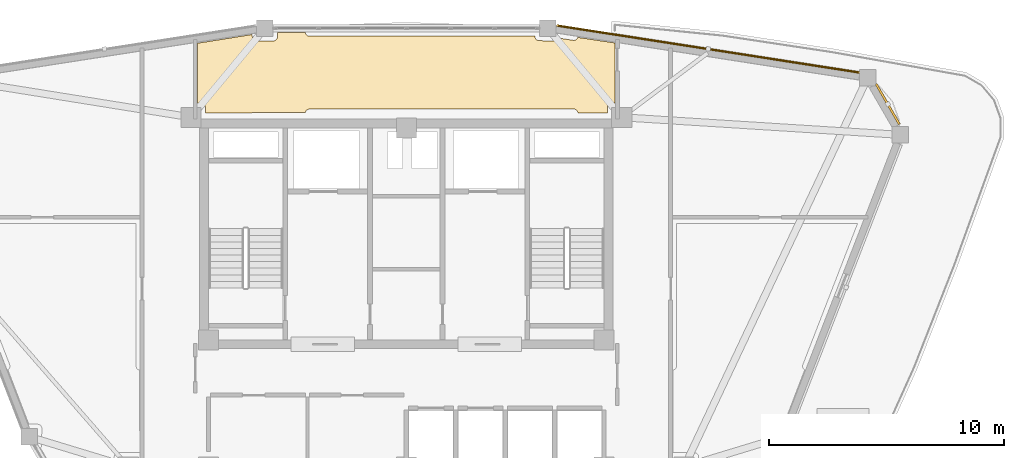
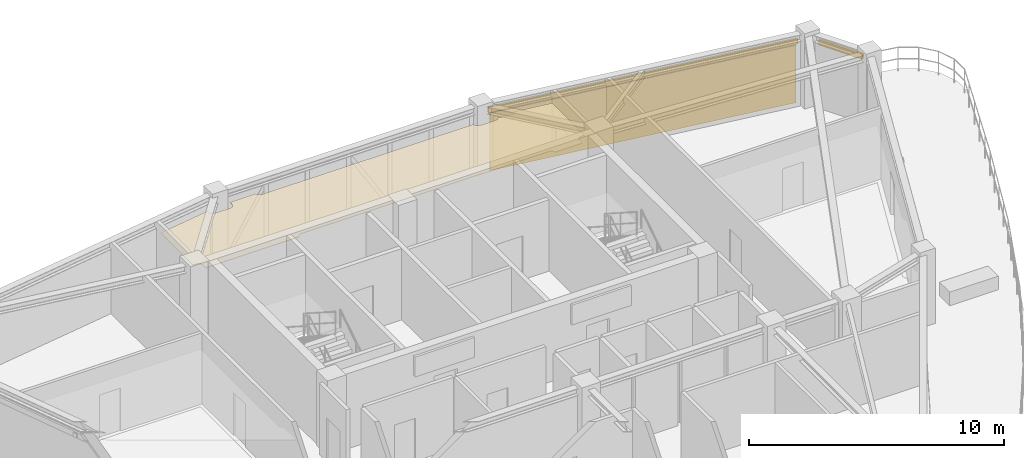
# One storey, part 16 of 16: 2 coverings, 2 shading devices.
"""IFC4 building model written with IfcOpenShell, lengths in metres."""

import ifcopenshell
import ifcopenshell.guid

model = None  # the IFC model being written
_history = None  # IfcOwnerHistory: only IFC2X3 demands one
_inside = {}  # id of a spatial element -> (the spatial element, [elements in it])
_under = {}  # id of a project, library or spatial element -> (it, [spatial elements below it])
_declared = {}  # id of a project -> (the project, [libraries it declares])
_typed = {}  # id of a type object -> (the type object, [elements of that type])
_made_of = {}  # id of a material, layer set ... -> (it, [elements and type objects made of it])


def new_model(schema):
    """Start an empty IFC model of exactly this schema.

    Asked for "IFC4X3", IfcOpenShell would pick the latest addendum, in which some entities
    have other attributes; the version numbers below select the first issue.
    IFC2X3 requires an IfcOwnerHistory on every rooted entity: one is made here for all.
    """
    global model, _history
    if schema == "IFC4X3":
        model = ifcopenshell.file(schema_version=(4, 3, 0, 0))
    else:
        model = ifcopenshell.file(schema=schema)
    _inside.clear()
    _under.clear()
    _declared.clear()
    _typed.clear()
    _made_of.clear()
    _history = None
    if model.schema == "IFC2X3":
        org = make("IfcOrganization", Name="unknown")
        user = make(
            "IfcPersonAndOrganization",
            ThePerson=make("IfcPerson", FamilyName="unknown"),
            TheOrganization=org,
        )
        app = make(
            "IfcApplication",
            ApplicationDeveloper=org,
            Version="unknown",
            ApplicationFullName="unknown",
            ApplicationIdentifier="unknown",
        )
        _history = make(
            "IfcOwnerHistory",
            OwningUser=user,
            OwningApplication=app,
            ChangeAction="ADDED",
            CreationDate=0,
        )
    return model


def make(cls, **values):
    """One entity of the class cls with the attributes given. An attribute that is None is left unset."""
    return model.create_entity(
        cls, **{name: value for name, value in values.items() if value is not None}
    )


def rooted(cls, **values):
    """An entity with a GlobalId (a new one), such as an element, a storey or a relation."""
    return make(cls, GlobalId=ifcopenshell.guid.new(), OwnerHistory=_history, **values)


def si_unit(unit_type, name, prefix=None):
    """IfcSIUnit, for example si_unit("LENGTHUNIT", "METRE", prefix="MILLI")."""
    return make("IfcSIUnit", UnitType=unit_type, Prefix=prefix, Name=name)


def derived_unit(unit_type, elements):
    """IfcDerivedUnit: a product of units, each with its exponent."""
    return make(
        "IfcDerivedUnit",
        Elements=[
            make("IfcDerivedUnitElement", Unit=unit, Exponent=power)
            for unit, power in elements
        ],
        UnitType=unit_type,
    )


def assignment(units):
    """IfcUnitAssignment: the units of a project."""
    return None if units is None else make("IfcUnitAssignment", Units=units)


def point(xyz):
    """IfcCartesianPoint."""
    return None if xyz is None else make("IfcCartesianPoint", Coordinates=xyz)


def direction(xyz):
    """IfcDirection."""
    return None if xyz is None else make("IfcDirection", DirectionRatios=xyz)


def frame(location, z_axis=None, x_axis=None):
    """IfcAxis2Placement3D, a coordinate frame: its origin and axes. An axis left out is left unset."""
    return make(
        "IfcAxis2Placement3D",
        Location=point(location),
        Axis=direction(z_axis),
        RefDirection=direction(x_axis),
    )


def frame_2d(location, x_axis=None):
    """IfcAxis2Placement2D, a coordinate frame in the plane: its origin and x axis."""
    return make(
        "IfcAxis2Placement2D", Location=point(location), RefDirection=direction(x_axis)
    )


def origin():
    """The frame at (0, 0, 0) with its axes left unset."""
    return frame((0.0, 0.0, 0.0))


def origin_2d():
    """The frame at (0, 0) in the plane with its x axis left unset."""
    return frame_2d((0.0, 0.0))


def place(relative_to, where):
    """IfcLocalPlacement: puts the frame where relative to a parent placement (None: the world)."""
    return make(
        "IfcLocalPlacement", PlacementRelTo=relative_to, RelativePlacement=where
    )


def context(
    kind, dimensions, precision=None, world=None, true_north=None, identifier=None
):
    """IfcGeometricRepresentationContext, for example the 3D "Model" context."""
    return make(
        "IfcGeometricRepresentationContext",
        ContextIdentifier=identifier,
        ContextType=kind,
        CoordinateSpaceDimension=dimensions,
        Precision=precision,
        WorldCoordinateSystem=world,
        TrueNorth=true_north,
    )


def subcontext(parent, identifier, kind, view, scale=None):
    """IfcGeometricRepresentationSubContext, for example "Body" below "Model"."""
    return make(
        "IfcGeometricRepresentationSubContext",
        ContextIdentifier=identifier,
        ContextType=kind,
        ParentContext=parent,
        TargetScale=scale,
        TargetView=view,
    )


def project(units=None, contexts=None):
    """IfcProject with its units and contexts."""
    return rooted(
        "IfcProject",
        Name="project",
        RepresentationContexts=contexts,
        UnitsInContext=assignment(units),
    )


def spatial(cls, under=None, at=None, **own):
    """A site, building, storey or space (cls), placed at a placement, below another one or the project."""
    s = rooted(cls, ObjectPlacement=at, **own)
    if under is not None:
        _under.setdefault(under.id(), (under, []))[1].append(s)
    return s


def polyline(points):
    """IfcPolyline through the points."""
    return make("IfcPolyline", Points=[point(p) for p in points])


def profile(cls, at=None, kind="AREA", **sizes):
    """A parametric profile (cls). Its sizes go by their IFC names, for example OverallWidth=200.0."""
    return make(cls, ProfileType=kind, Position=at, **sizes)


def hollow_rectangle(**sizes):
    """IfcRectangleHollowProfileDef."""
    return profile("IfcRectangleHollowProfileDef", **sizes)


def outline(outer, holes=None, kind="AREA"):
    """IfcArbitraryClosedProfileDef: a profile drawn as a closed curve; with holes, ...WithVoids."""
    if holes is None:
        return make("IfcArbitraryClosedProfileDef", ProfileType=kind, OuterCurve=outer)
    return make(
        "IfcArbitraryProfileDefWithVoids",
        ProfileType=kind,
        OuterCurve=outer,
        InnerCurves=holes,
    )


def extrude(swept, where, along, depth):
    """IfcExtrudedAreaSolid: the profile swept, set in the frame where, extruded along a direction by depth."""
    return make(
        "IfcExtrudedAreaSolid",
        SweptArea=swept,
        Position=where,
        ExtrudedDirection=direction(along),
        Depth=depth,
    )


def shape(context_of_items, identifier, shape_type, items):
    """IfcShapeRepresentation: the items that make up one representation, for example the "Body"."""
    return make(
        "IfcShapeRepresentation",
        ContextOfItems=context_of_items,
        RepresentationIdentifier=identifier,
        RepresentationType=shape_type,
        Items=items,
    )


def source(mapping_origin, context_of_items, identifier, shape_type, items):
    """IfcRepresentationMap: a shape defined once, which mapped items show again and again."""
    return make(
        "IfcRepresentationMap",
        MappingOrigin=mapping_origin,
        MappedRepresentation=shape(context_of_items, identifier, shape_type, items),
    )


def transform(
    local_origin,
    x_axis=None,
    y_axis=None,
    z_axis=None,
    scale=None,
    scale2=None,
    scale3=None,
    uniform=True,
):
    """IfcCartesianTransformationOperator3D, or its non-uniform kind. x_axis, y_axis, z_axis: its Axis1, 2, 3."""
    if uniform:
        return make(
            "IfcCartesianTransformationOperator3D",
            Axis1=direction(x_axis),
            Axis2=direction(y_axis),
            LocalOrigin=point(local_origin),
            Scale=scale,
            Axis3=direction(z_axis),
        )
    return make(
        "IfcCartesianTransformationOperator3DnonUniform",
        Axis1=direction(x_axis),
        Axis2=direction(y_axis),
        LocalOrigin=point(local_origin),
        Scale=scale,
        Axis3=direction(z_axis),
        Scale2=scale2,
        Scale3=scale3,
    )


def mapped(mapping_source, mapping_target):
    """IfcMappedItem: shows the shape of a source again, moved by a transform."""
    return make(
        "IfcMappedItem", MappingSource=mapping_source, MappingTarget=mapping_target
    )


def material(Name=None, Category=None):
    """IfcMaterial."""
    return make("IfcMaterial", Name=Name, Category=Category)


def layer(
    of_material, thickness, ventilated=None, Name=None, Category=None, Priority=None
):
    """IfcMaterialLayer: one layer of a wall or slab, of a material (None: an air gap)."""
    return make(
        "IfcMaterialLayer",
        Material=of_material,
        LayerThickness=thickness,
        IsVentilated=ventilated,
        Name=Name,
        Category=Category,
        Priority=Priority,
    )


def layer_set(layers, Name=None):
    """IfcMaterialLayerSet."""
    return make("IfcMaterialLayerSet", MaterialLayers=layers, LayerSetName=Name)


def material_profile(
    of_material, cross_section, Name=None, Category=None, Priority=None
):
    """IfcMaterialProfile: a cross section and its material."""
    return make(
        "IfcMaterialProfile",
        Name=Name,
        Material=of_material,
        Profile=cross_section,
        Priority=Priority,
        Category=Category,
    )


def profile_set(profiles, Name=None, composite=None):
    """IfcMaterialProfileSet."""
    return make(
        "IfcMaterialProfileSet",
        Name=Name,
        MaterialProfiles=profiles,
        CompositeProfile=composite,
    )


def made_of(thing, what):
    """Note that an element or type object is made of a material, layer set ...; save() writes the relation."""
    if what is not None:
        _made_of.setdefault(what.id(), (what, []))[1].append(thing)
    return thing


def type_object(cls, material=None, **own):
    """A type object (cls), such as IfcWallType, which elements share."""
    return made_of(rooted(cls, **own), material)


def element(
    cls,
    number,
    at=None,
    inside=None,
    cuts=None,
    type_object=None,
    material=None,
    context=None,
    identifier="Body",
    shape_type=None,
    held_by="IfcProductDefinitionShape",
    body=None,
    shapes=None,
    **own,
):
    """One element of the class cls, such as IfcWall. Its Tag is "e" and its number.

    at: its placement. inside: the storey or other place that contains it. cuts: it is an
    opening in that element (IfcRelVoidsElement). A single representation is given by context,
    identifier, shape_type and body (its items); several are given by shapes. held_by: the class
    of the entity that holds the representations. save() writes the other relations.
    """
    e = rooted(cls, Tag="e%d" % number, ObjectPlacement=at, **own)
    if body is not None:
        shapes = [shape(context, identifier, shape_type, body)]
    if shapes is not None:
        e.Representation = make(held_by, Representations=shapes)
    if inside is not None:
        _inside.setdefault(inside.id(), (inside, []))[1].append(e)
    if cuts is not None:
        rooted(
            "IfcRelVoidsElement", RelatingBuildingElement=cuts, RelatedOpeningElement=e
        )
    if type_object is not None:
        _typed.setdefault(type_object.id(), (type_object, []))[1].append(e)
    return made_of(e, material)


def aggregate(whole, parts):
    """IfcRelAggregates: a whole, such as a stair, and the parts it consists of."""
    return rooted("IfcRelAggregates", RelatingObject=whole, RelatedObjects=parts)


def save(model, path):
    """Write the relations noted so far, then the file.

    IfcRelAggregates (storeys below a building ...), IfcRelContainedInSpatialStructure (elements
    in a storey), IfcRelDefinesByType, IfcRelAssociatesMaterial and IfcRelDeclares: one each for
    every whole, place, type object, material and project.
    """
    for whole, parts in _under.values():
        aggregate(whole, parts)
    for where, things in _inside.values():
        rooted(
            "IfcRelContainedInSpatialStructure",
            RelatedElements=things,
            RelatingStructure=where,
        )
    for kind, things in _typed.values():
        rooted("IfcRelDefinesByType", RelatedObjects=things, RelatingType=kind)
    for what, things in _made_of.values():
        rooted("IfcRelAssociatesMaterial", RelatedObjects=things, RelatingMaterial=what)
    for by, libraries in _declared.values():
        rooted("IfcRelDeclares", RelatingContext=by, RelatedDefinitions=libraries)
    model.write(path)


model = new_model("IFC4")

# Units and contexts
model_context = context("Model", 3, precision=1e-05, world=origin(), true_north=direction((0.0, 1.0)))
body_context = subcontext(model_context, "Body", "Model", "MODEL_VIEW")
ifc_project = project(units=[si_unit("LENGTHUNIT", "METRE"), si_unit("AREAUNIT", "SQUARE_METRE"), si_unit("VOLUMEUNIT", "CUBIC_METRE"), si_unit("PLANEANGLEUNIT", "RADIAN"), si_unit("MASSUNIT", "GRAM", prefix="KILO"), derived_unit("THERMALTRANSMITTANCEUNIT", [(si_unit("POWERUNIT", "WATT"), 1), (si_unit("LENGTHUNIT", "METRE"), -2), (si_unit("THERMODYNAMICTEMPERATUREUNIT", "KELVIN"), -1)])], contexts=[model_context])

# Site, building, storey
site_placement = place(None, origin())
site = spatial("IfcSite", under=ifc_project, at=site_placement, CompositionType="ELEMENT")
building_placement = place(site_placement, origin())
building = spatial("IfcBuilding", under=site, at=building_placement, Name="Korsvarv Bourse and Concert Hall", CompositionType="ELEMENT")
storey_placement = place(building_placement, frame((0.0, 0.0, 243.0)))
storey = spatial("IfcBuildingStorey", under=building, at=storey_placement, Name="L63", CompositionType="ELEMENT", Elevation=243.0)

# Coverings
ifc_material_1 = material(Name="Perforated mineral-wool and birch acoustic baffle ceiling", Category="wood")
ifc_layer_1 = layer(ifc_material_1, 0.02490234375)
ifc_layer_set_1 = layer_set([ifc_layer_1], Name="Perforated mineral-wool and birch acoustic baffle ceiling")
covering_type_1 = type_object("IfcCoveringType", Name="COV-CEIL-1", PredefinedType="CEILING", material=ifc_layer_set_1)
covering_1_placement = place(storey_placement, frame((0.0, 0.0, 2.7900390625)))
element("IfcCovering", 1, at=covering_1_placement, inside=storey, type_object=covering_type_1, Name="L63 acoustic baffle ceiling 3", PredefinedType="CEILING", context=body_context, shape_type="SweptSolid", body=[
    extrude(outline(polyline([(29.45556640625, 50.7666015625), (29.45556640625, 50.6826171875), (29.458984375, 50.64794921875), (29.468994140625, 50.614501953125), (29.4853515625, 50.58349609375), (29.50732421875, 50.556396484375), (29.5341796875, 50.533935546875), (29.56494140625, 50.51708984375), (29.598388671875, 50.506591796875), (29.633056640625, 50.502685546875), (30.343017578125, 50.49267578125), (30.3779296875, 50.49560546875), (30.41162109375, 50.505126953125), (30.442626953125, 50.52099609375), (30.47021484375, 50.542724609375), (30.492919921875, 50.5693359375), (30.51025390625, 50.599853515625), (30.521240234375, 50.633056640625), (30.525390625, 50.667724609375), (30.53076171875, 50.852783203125), (31.711181640625, 50.852783203125), (31.7158203125, 50.827392578125), (31.728515625, 50.79345703125), (31.747802734375, 50.762451171875), (31.772705078125, 50.736083984375), (31.802734375, 50.71533203125), (31.836181640625, 50.700927734375), (31.871826171875, 50.693603515625), (41.46435546875, 50.692626953125), (41.46533203125, 50.665283203125), (41.471923828125, 50.630859375), (41.4853515625, 50.598388671875), (41.504638671875, 50.5693359375), (41.529052734375, 50.54443359375), (41.55810546875, 50.52490234375), (41.590087890625, 50.510986328125), (41.62451171875, 50.50390625), (42.351806640625, 50.49267578125), (42.387939453125, 50.495849609375), (42.4228515625, 50.506103515625), (42.454833984375, 50.523193359375), (42.482666015625, 50.54638671875), (42.50537109375, 50.57470703125), (42.52197265625, 50.607177734375), (43.08447265625, 50.52099609375), (43.12060546875, 50.51904296875), (43.156494140625, 50.5244140625), (43.1904296875, 50.536865234375), (43.221435546875, 50.555908203125), (43.247802734375, 50.58056640625), (43.268798828125, 50.610107421875), (43.283203125, 50.643310546875), (44.87060546875, 50.40576171875), (44.8701171875, 47.864990234375), (44.72509765625, 47.864990234375), (44.6904296875, 47.861572265625), (44.656982421875, 47.851806640625), (44.626220703125, 47.83544921875), (44.59912109375, 47.813720703125), (44.576904296875, 47.787109375), (44.559814453125, 47.7568359375), (44.54931640625, 47.7236328125), (44.544921875, 47.689208984375), (44.539306640625, 47.43994140625), (43.288818359375, 47.43994140625), (43.2841796875, 47.465087890625), (43.271484375, 47.499267578125), (43.252197265625, 47.5302734375), (43.227294921875, 47.556640625), (43.197265625, 47.577392578125), (43.163818359375, 47.591796875), (43.128173828125, 47.59912109375), (31.889892578125, 47.60009765625), (31.853759765625, 47.59619140625), (31.819091796875, 47.58544921875), (31.787109375, 47.567626953125), (31.759521484375, 47.5439453125), (31.7373046875, 47.51513671875), (31.72119140625, 47.482421875), (31.712158203125, 47.447265625), (27.465087890625, 47.43994140625), (27.465087890625, 47.675048828125), (27.461669921875, 47.70947265625), (27.451904296875, 47.74267578125), (27.435791015625, 47.773193359375), (27.414306640625, 47.80029296875), (27.3876953125, 47.82275390625), (27.357666015625, 47.839599609375), (27.32470703125, 47.8505859375), (27.290283203125, 47.85498046875), (27.1298828125, 47.859619140625), (27.1298828125, 50.395751953125), (29.45556640625, 50.7666015625)])), origin(), (0.0, 0.0, 1.0), 0.02490234375),
])
ifc_material_2 = material(Name="Warm iron-oxide extruded terracotta rainscreen tile", Category="ceramic")
ifc_layer_2 = layer(ifc_material_2, 0.044921875)
ifc_layer_set_2 = layer_set([ifc_layer_2], Name="Warm iron-oxide extruded terracotta rainscreen tile")
covering_type_2 = type_object("IfcCoveringType", Name="COV-CLD-TC", PredefinedType="CLADDING", material=ifc_layer_set_2)
covering_2_placement = place(storey_placement, origin())
element("IfcCovering", 2, at=covering_2_placement, inside=storey, type_object=covering_type_2, Name="L63 fluted terracotta cladding panel EW-L63-B02", PredefinedType="CLADDING", context=body_context, shape_type="SweptSolid", body=[
    extrude(outline(polyline([(55.177001953125, 49.125), (42.459228515625, 51.0986328125), (42.466064453125, 51.143310546875), (55.18408203125, 49.169189453125), (55.177001953125, 49.125)])), origin(), (0.0, 0.0, 1.0), 2.760009765625),
])

# Shading devices
ifc_material_3 = material(Name="Glazed extruded architectural terracotta", Category="ceramic")
ifc_material_profile = material_profile(ifc_material_3, hollow_rectangle(XDim=0.090087890625, YDim=0.260009765625, WallThickness=0.011962890625, at=origin_2d()), Name="TC-BAG 90x260")
ifc_profile_set = profile_set([ifc_material_profile], Name="Glazed extruded architectural terracotta")
shading_device_type = type_object("IfcShadingDeviceType", Name="SHD-BAG-1", PredefinedType="USERDEFINED", material=ifc_profile_set)
shared_shape_1 = source(origin(), body_context, "Body", "SweptSolid", [
    extrude(hollow_rectangle(XDim=0.090087890625, YDim=0.260009765625, WallThickness=0.011962890625, at=origin_2d()), origin(), (0.0, 0.0, 1.0), 1.97509765625),
])
shading_device_1_placement = place(storey_placement, frame((56.943115234375, 46.951171875, 2.919921875), z_axis=(-0.500007788796, 0.866020906874, 0.0), x_axis=(-0.866020906874, -0.500007788796, 0.0)))
element("IfcShadingDevice", 3, at=shading_device_1_placement, inside=storey, type_object=shading_device_type, Name="L63 terracotta baguette sunshade EW-L63-B01", ObjectType="BAGUETTE", PredefinedType="USERDEFINED", context=body_context, shape_type="MappedRepresentation", body=[
    mapped(shared_shape_1, transform((0.0, 0.0, 0.0), scale=1.0)),
])
shared_shape_2 = source(origin(), body_context, "Body", "SweptSolid", [
    extrude(hollow_rectangle(XDim=0.090087890625, YDim=0.260009765625, WallThickness=0.011962890625, at=origin_2d()), origin(), (0.0, 0.0, 1.0), 13.030029296875),
])
shading_device_2_placement = place(storey_placement, frame((55.26220703125, 49.152099609375, 2.919921875), z_axis=(-0.988170476673, 0.153359411293, 0.0), x_axis=(-0.153359411293, -0.988170476673, 0.0)))
element("IfcShadingDevice", 4, at=shading_device_2_placement, inside=storey, type_object=shading_device_type, Name="L63 terracotta baguette sunshade EW-L63-B02", ObjectType="BAGUETTE", PredefinedType="USERDEFINED", context=body_context, shape_type="MappedRepresentation", body=[
    mapped(shared_shape_2, transform((0.0, 0.0, 0.0), scale=1.0)),
])

save(model, "model.ifc")
